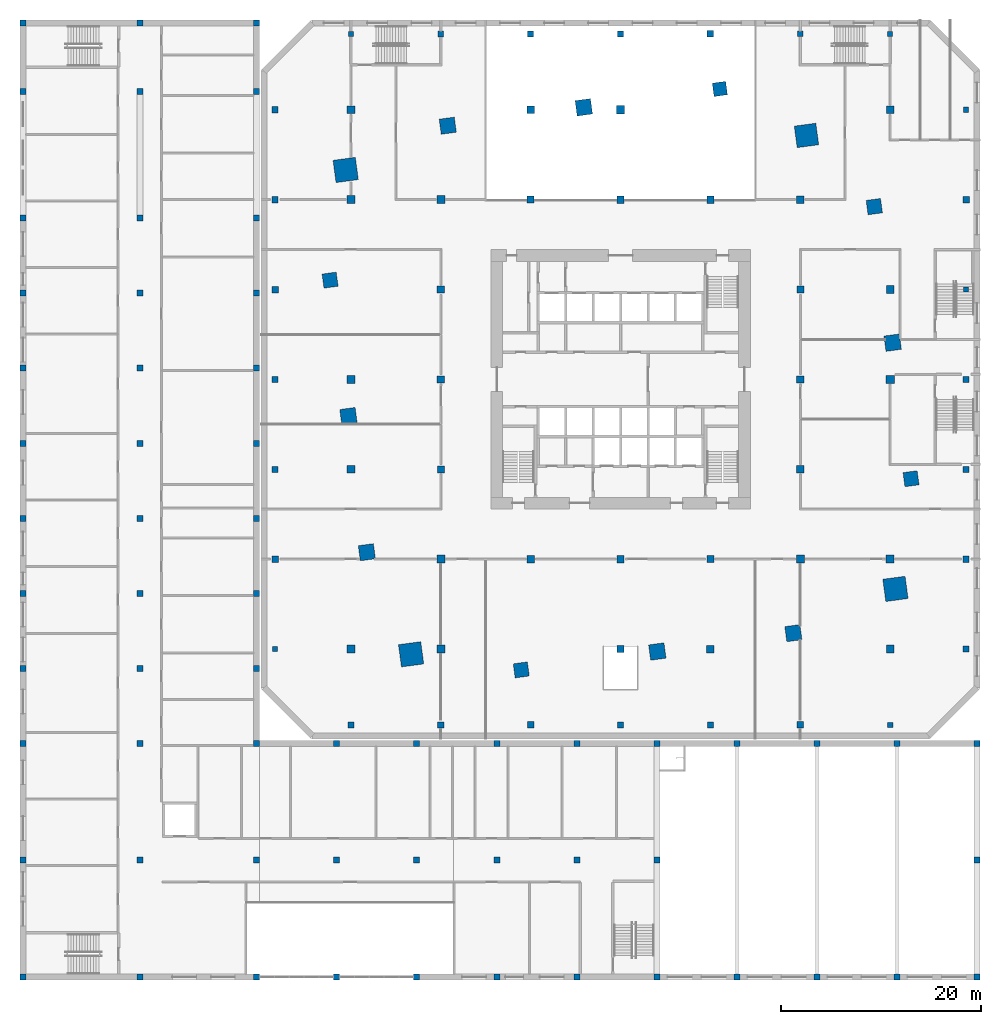
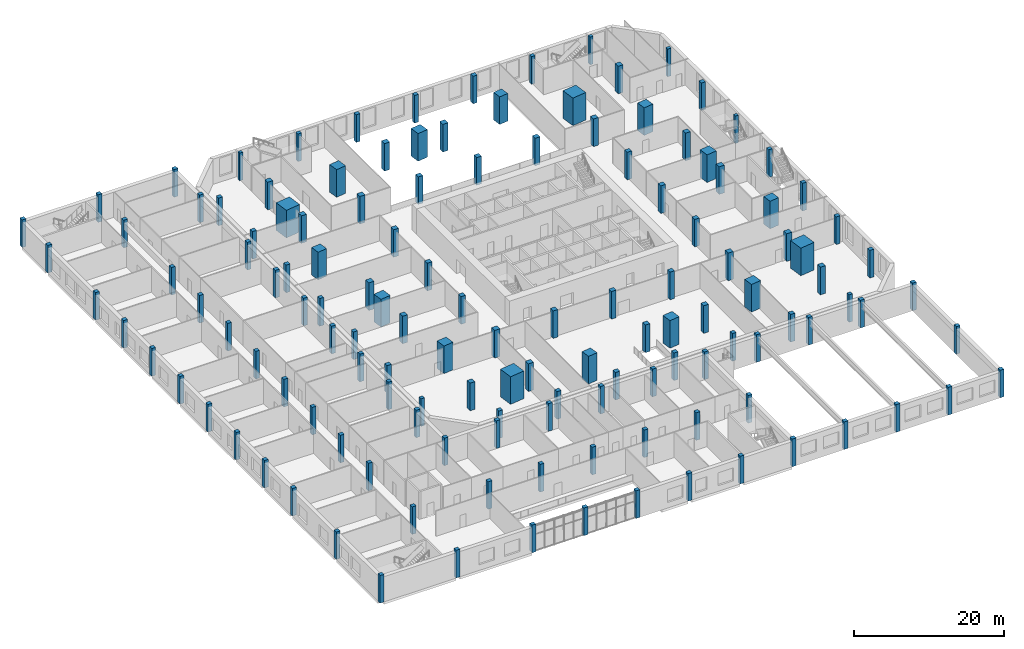
# One storey, part 1 of 27: 135 columns.
"""IFC4 building model written with IfcOpenShell, lengths in metres."""

from ifc_helpers import new_model, si_unit, direction, frame, origin, origin_2d, place, context, subcontext, project, spatial, rectangle, extrude, material, material_profile, profile_set, type_object, element, save


model = new_model("IFC4")

# Units and contexts
model_context = context("Model", 3, precision=1e-05, world=origin(), true_north=direction((0.0, 1.0)))
body_context = subcontext(model_context, "Body", "Model", "MODEL_VIEW")
ifc_project = project(units=[si_unit("LENGTHUNIT", "METRE"), si_unit("AREAUNIT", "SQUARE_METRE"), si_unit("VOLUMEUNIT", "CUBIC_METRE"), si_unit("PLANEANGLEUNIT", "RADIAN"), si_unit("MASSUNIT", "GRAM", prefix="KILO")], contexts=[model_context])

# Site, building, storey
site_placement = place(None, origin())
site = spatial("IfcSite", under=ifc_project, at=site_placement, CompositionType="ELEMENT")
building_placement = place(site_placement, origin())
building = spatial("IfcBuilding", under=site, at=building_placement, Name="Dilmun Exchange Tower", CompositionType="ELEMENT")
storey_placement = place(building_placement, frame((0.0, 0.0, 4.5)))
storey = spatial("IfcBuildingStorey", under=building, at=storey_placement, Name="L01", CompositionType="ELEMENT", Elevation=4.5)

# Columns
ifc_material_1 = material(Name="Concrete C80/95", Category="concrete")
ifc_material_profile_1 = material_profile(ifc_material_1, rectangle(XDim=2.175048828125, YDim=2.175048828125, at=origin_2d()), Name="2175 x 2175")
ifc_profile_set_1 = profile_set([ifc_material_profile_1], Name="Concrete C80/95")
column_type_1 = type_object("IfcColumnType", Name="RC mega column 2175 x 2175 C80/95", PredefinedType="COLUMN", material=ifc_profile_set_1)
column_1_placement = place(storey_placement, frame((18.6220703125, 24.43701171875, 0.0), z_axis=(0.0, 0.0, 1.0), x_axis=(0.991001197216, 0.133853005627, 0.0)))
element("IfcColumn", 1, at=column_1_placement, inside=storey, type_object=column_type_1, Name="Mega column M1", PredefinedType="COLUMN", context=body_context, shape_type="SweptSolid", body=[
    extrude(rectangle(XDim=2.175048828125, YDim=2.175048828125, at=origin_2d()), origin(), (0.0, 0.0, 1.0), 4.5),
])
ifc_material_profile_2 = material_profile(ifc_material_1, rectangle(XDim=2.25, YDim=2.25, at=origin_2d()), Name="2250 x 2250")
ifc_profile_set_2 = profile_set([ifc_material_profile_2], Name="Concrete C80/95")
column_type_2 = type_object("IfcColumnType", Name="RC mega column 2250 x 2250 C80/95", PredefinedType="COLUMN", material=ifc_profile_set_2)
for number, where, z_axis, x_axis, name in (
    (2, (-27.531005859375, 20.97900390625, 0.0), (0.0, 0.0, 1.0), (0.991001197216, 0.133853005627, 0.0), "Mega column M2"),
    (3, (-20.97900390625, -27.531005859375, 0.0), (0.0, 0.0, 1.0), (0.991001197216, 0.133853005627, 0.0), "Mega column M3"),
    (4, (27.531005859375, -20.97900390625, 0.0), (0.0, 0.0, 1.0), (0.991001197216, 0.133853005627, 0.0), "Mega column M4"),
):
    element("IfcColumn", number, at=place(storey_placement, frame(where, z_axis=z_axis, x_axis=x_axis)), inside=storey, type_object=column_type_2, Name=name, PredefinedType="COLUMN", context=body_context, shape_type="SweptSolid", body=[
        extrude(rectangle(XDim=2.25, YDim=2.25, at=origin_2d()), origin(), (0.0, 0.0, 1.0), 4.5),
    ])
ifc_material_2 = material(Name="Concrete C60/75", Category="concrete")
ifc_material_profile_3 = material_profile(ifc_material_2, rectangle(XDim=0.47509765625, YDim=0.47509765625, at=origin_2d()), Name="475 x 475")
ifc_profile_set_3 = profile_set([ifc_material_profile_3], Name="Concrete C60/75")
column_type_3 = type_object("IfcColumnType", Name="RC podium column 475 x 475 C60/75", PredefinedType="COLUMN", material=ifc_profile_set_3)
for number, where, z_axis, x_axis, name in (
    (5, (-27.0, 34.60009765625, 0.0), (0.0, 0.0, 1.0), (1.0, 0.0, 0.0), "Podium column 6N"),
    (6, (34.60009765625, 9.0, 0.0), (0.0, 0.0, 1.0), (1.0, 0.0, 0.0), "Podium column 13K"),
):
    element("IfcColumn", number, at=place(storey_placement, frame(where, z_axis=z_axis, x_axis=x_axis)), inside=storey, type_object=column_type_3, Name=name, PredefinedType="COLUMN", context=body_context, shape_type="SweptSolid", body=[
        extrude(rectangle(XDim=0.47509765625, YDim=0.47509765625, at=origin_2d()), origin(), (0.0, 0.0, 1.0), 4.5),
    ])
ifc_material_profile_4 = material_profile(ifc_material_2, rectangle(XDim=0.5, YDim=0.5, at=origin_2d()), Name="500 x 500")
ifc_profile_set_4 = profile_set([ifc_material_profile_4], Name="Concrete C60/75")
column_type_4 = type_object("IfcColumnType", Name="RC podium column 500 x 500 C60/75", PredefinedType="COLUMN", material=ifc_profile_set_4)
column_2_placement = place(storey_placement, frame((27.0, 34.60009765625, 0.0), z_axis=(0.0, 0.0, 1.0), x_axis=(1.0, 0.0, 0.0)))
element("IfcColumn", 7, at=column_2_placement, inside=storey, type_object=column_type_4, Name="Podium column 12N", PredefinedType="COLUMN", context=body_context, shape_type="SweptSolid", body=[
    extrude(rectangle(XDim=0.5, YDim=0.5, at=origin_2d()), origin(), (0.0, 0.0, 1.0), 4.5),
])
ifc_material_profile_5 = material_profile(ifc_material_2, rectangle(XDim=0.52490234375, YDim=0.52490234375, at=origin_2d()), Name="525 x 525")
ifc_profile_set_5 = profile_set([ifc_material_profile_5], Name="Concrete C60/75")
column_type_5 = type_object("IfcColumnType", Name="RC podium column 525 x 525 C60/75", PredefinedType="COLUMN", material=ifc_profile_set_5)
for number, where, z_axis, x_axis, name in (
    (8, (-34.60009765625, -27.0, 0.0), (0.0, 0.0, 1.0), (1.0, 0.0, 0.0), "Podium column 5F"),
    (9, (27.0, -34.60009765625, 0.0), (0.0, 0.0, 1.0), (1.0, 0.0, 0.0), "Podium column 12E"),
    (10, (34.60009765625, 27.0, 0.0), (0.0, 0.0, 1.0), (1.0, 0.0, 0.0), "Podium column 13M"),
):
    element("IfcColumn", number, at=place(storey_placement, frame(where, z_axis=z_axis, x_axis=x_axis)), inside=storey, type_object=column_type_5, Name=name, PredefinedType="COLUMN", context=body_context, shape_type="SweptSolid", body=[
        extrude(rectangle(XDim=0.52490234375, YDim=0.52490234375, at=origin_2d()), origin(), (0.0, 0.0, 1.0), 4.5),
    ])
ifc_material_profile_6 = material_profile(ifc_material_2, rectangle(XDim=0.550048828125, YDim=0.550048828125, at=origin_2d()), Name="550 x 550")
ifc_profile_set_6 = profile_set([ifc_material_profile_6], Name="Concrete C60/75")
column_type_6 = type_object("IfcColumnType", Name="RC podium column 550 x 550 C60/75", PredefinedType="COLUMN", material=ifc_profile_set_6)
column_3_placement = place(storey_placement, frame((18.0, 34.60009765625, 0.0), z_axis=(0.0, 0.0, 1.0), x_axis=(1.0, 0.0, 0.0)))
element("IfcColumn", 11, at=column_3_placement, inside=storey, type_object=column_type_6, Name="Podium column 11N", PredefinedType="COLUMN", context=body_context, shape_type="SweptSolid", body=[
    extrude(rectangle(XDim=0.550048828125, YDim=0.550048828125, at=origin_2d()), origin(), (0.0, 0.0, 1.0), 4.5),
])
ifc_material_profile_7 = material_profile(ifc_material_2, rectangle(XDim=0.574951171875, YDim=0.574951171875, at=origin_2d()), Name="575 x 575")
ifc_profile_set_7 = profile_set([ifc_material_profile_7], Name="Concrete C60/75")
column_type_7 = type_object("IfcColumnType", Name="RC podium column 575 x 575 C60/75", PredefinedType="COLUMN", material=ifc_profile_set_7)
for number, where, z_axis, x_axis, name in (
    (12, (-18.0, 34.60009765625, 0.0), (0.0, 0.0, 1.0), (1.0, 0.0, 0.0), "Podium column 7N"),
    (13, (34.60009765625, 0.0, 0.0), (0.0, 0.0, 1.0), (1.0, 0.0, 0.0), "Podium column 13J"),
):
    element("IfcColumn", number, at=place(storey_placement, frame(where, z_axis=z_axis, x_axis=x_axis)), inside=storey, type_object=column_type_7, Name=name, PredefinedType="COLUMN", context=body_context, shape_type="SweptSolid", body=[
        extrude(rectangle(XDim=0.574951171875, YDim=0.574951171875, at=origin_2d()), origin(), (0.0, 0.0, 1.0), 4.5),
    ])
ifc_material_profile_8 = material_profile(ifc_material_2, rectangle(XDim=0.60009765625, YDim=0.60009765625, at=origin_2d()), Name="600 x 600")
ifc_profile_set_8 = profile_set([ifc_material_profile_8], Name="Concrete C60/75")
column_type_8 = type_object("IfcColumnType", Name="RC podium column 600 x 600 C60/75", PredefinedType="COLUMN", material=ifc_profile_set_8)
for number, where, z_axis, x_axis, name in (
    (14, (-34.60009765625, -9.0, 0.0), (0.0, 0.0, 1.0), (1.0, 0.0, 0.0), "Podium column 5H"),
    (15, (-9.0, 34.60009765625, 0.0), (0.0, 0.0, 1.0), (1.0, 0.0, 0.0), "Podium column 8N"),
    (16, (9.0, -34.60009765625, 0.0), (0.0, 0.0, 1.0), (1.0, 0.0, 0.0), "Podium column 10E"),
    (17, (34.60009765625, -9.0, 0.0), (0.0, 0.0, 1.0), (1.0, 0.0, 0.0), "Podium column 13H"),
):
    element("IfcColumn", number, at=place(storey_placement, frame(where, z_axis=z_axis, x_axis=x_axis)), inside=storey, type_object=column_type_8, Name=name, PredefinedType="COLUMN", context=body_context, shape_type="SweptSolid", body=[
        extrude(rectangle(XDim=0.60009765625, YDim=0.60009765625, at=origin_2d()), origin(), (0.0, 0.0, 1.0), 4.5),
    ])
ifc_material_profile_9 = material_profile(ifc_material_2, rectangle(XDim=0.625, YDim=0.625, at=origin_2d()), Name="625 x 625")
ifc_profile_set_9 = profile_set([ifc_material_profile_9], Name="Concrete C60/75")
column_type_9 = type_object("IfcColumnType", Name="RC podium column 625 x 625 C60/75", PredefinedType="COLUMN", material=ifc_profile_set_9)
for number, where, z_axis, x_axis, name in (
    (18, (-34.60009765625, 0.0, 0.0), (0.0, 0.0, 1.0), (1.0, 0.0, 0.0), "Podium column 5J"),
    (19, (-34.60009765625, 18.0, 0.0), (0.0, 0.0, 1.0), (1.0, 0.0, 0.0), "Podium column 5L"),
    (20, (-34.60009765625, 27.0, 0.0), (0.0, 0.0, 1.0), (1.0, 0.0, 0.0), "Podium column 5M"),
    (21, (-27.0, -34.60009765625, 0.0), (0.0, 0.0, 1.0), (1.0, 0.0, 0.0), "Podium column 6E"),
    (22, (-18.0, -34.60009765625, 0.0), (0.0, 0.0, 1.0), (1.0, 0.0, 0.0), "Podium column 7E"),
    (23, (0.0, -34.60009765625, 0.0), (0.0, 0.0, 1.0), (1.0, 0.0, 0.0), "Podium column 9E"),
    (24, (0.0, 34.60009765625, 0.0), (0.0, 0.0, 1.0), (1.0, 0.0, 0.0), "Podium column 9N"),
    (25, (34.60009765625, -27.0, 0.0), (0.0, 0.0, 1.0), (1.0, 0.0, 0.0), "Podium column 13F"),
    (26, (34.60009765625, -18.0, 0.0), (0.0, 0.0, 1.0), (1.0, 0.0, 0.0), "Podium column 13G"),
):
    element("IfcColumn", number, at=place(storey_placement, frame(where, z_axis=z_axis, x_axis=x_axis)), inside=storey, type_object=column_type_9, Name=name, PredefinedType="COLUMN", context=body_context, shape_type="SweptSolid", body=[
        extrude(rectangle(XDim=0.625, YDim=0.625, at=origin_2d()), origin(), (0.0, 0.0, 1.0), 4.5),
    ])
ifc_material_profile_10 = material_profile(ifc_material_2, rectangle(XDim=0.64990234375, YDim=0.64990234375, at=origin_2d()), Name="650 x 650")
ifc_profile_set_10 = profile_set([ifc_material_profile_10], Name="Concrete C60/75")
column_type_10 = type_object("IfcColumnType", Name="RC podium column 650 x 650 C60/75", PredefinedType="COLUMN", material=ifc_profile_set_10)
for number, where, z_axis, x_axis, name in (
    (27, (-34.60009765625, -18.0, 0.0), (0.0, 0.0, 1.0), (1.0, 0.0, 0.0), "Podium column 5G"),
    (28, (-34.60009765625, 9.0, 0.0), (0.0, 0.0, 1.0), (1.0, 0.0, 0.0), "Podium column 5K"),
    (29, (-9.0, -34.60009765625, 0.0), (0.0, 0.0, 1.0), (1.0, 0.0, 0.0), "Podium column 8E"),
    (30, (9.0, 34.60009765625, 0.0), (0.0, 0.0, 1.0), (1.0, 0.0, 0.0), "Podium column 10N"),
    (31, (18.0, -34.60009765625, 0.0), (0.0, 0.0, 1.0), (1.0, 0.0, 0.0), "Podium column 11E"),
    (32, (34.60009765625, 18.0, 0.0), (0.0, 0.0, 1.0), (1.0, 0.0, 0.0), "Podium column 13L"),
):
    element("IfcColumn", number, at=place(storey_placement, frame(where, z_axis=z_axis, x_axis=x_axis)), inside=storey, type_object=column_type_10, Name=name, PredefinedType="COLUMN", context=body_context, shape_type="SweptSolid", body=[
        extrude(rectangle(XDim=0.64990234375, YDim=0.64990234375, at=origin_2d()), origin(), (0.0, 0.0, 1.0), 4.5),
    ])
ifc_material_profile_11 = material_profile(ifc_material_2, rectangle(XDim=0.699951171875, YDim=0.699951171875, at=origin_2d()), Name="700 x 700")
ifc_profile_set_11 = profile_set([ifc_material_profile_11], Name="Concrete C60/75")
column_type_11 = type_object("IfcColumnType", Name="RC podium column 700 x 700 C60/75", PredefinedType="COLUMN", material=ifc_profile_set_11)
for number, where, z_axis, x_axis, name in (
    (33, (-18.0, -9.0, 0.0), (0.0, 0.0, 1.0), (1.0, 0.0, 0.0), "Podium column 7H"),
    (34, (-9.0, 18.0, 0.0), (0.0, 0.0, 1.0), (1.0, 0.0, 0.0), "Podium column 8L"),
    (35, (9.0, -18.0, 0.0), (0.0, 0.0, 1.0), (1.0, 0.0, 0.0), "Podium column 10G"),
    (36, (18.0, 9.0, 0.0), (0.0, 0.0, 1.0), (1.0, 0.0, 0.0), "Podium column 11K"),
):
    element("IfcColumn", number, at=place(storey_placement, frame(where, z_axis=z_axis, x_axis=x_axis)), inside=storey, type_object=column_type_11, Name=name, PredefinedType="COLUMN", context=body_context, shape_type="SweptSolid", body=[
        extrude(rectangle(XDim=0.699951171875, YDim=0.699951171875, at=origin_2d()), origin(), (0.0, 0.0, 1.0), 4.5),
    ])
ifc_material_profile_12 = material_profile(ifc_material_2, rectangle(XDim=0.72509765625, YDim=0.72509765625, at=origin_2d()), Name="725 x 725")
ifc_profile_set_12 = profile_set([ifc_material_profile_12], Name="Concrete C60/75")
column_type_12 = type_object("IfcColumnType", Name="RC podium column 725 x 725 C60/75", PredefinedType="COLUMN", material=ifc_profile_set_12)
for number, where, z_axis, x_axis, name in (
    (37, (-18.0, 0.0, 0.0), (0.0, 0.0, 1.0), (1.0, 0.0, 0.0), "Podium column 7J"),
    (38, (-18.0, 9.0, 0.0), (0.0, 0.0, 1.0), (1.0, 0.0, 0.0), "Podium column 7K"),
    (39, (-9.0, -18.0, 0.0), (0.0, 0.0, 1.0), (1.0, 0.0, 0.0), "Podium column 8G"),
    (40, (0.0, -27.0, 0.0), (0.0, 0.0, 1.0), (1.0, 0.0, 0.0), "Podium column 9F"),
    (41, (0.0, -18.0, 0.0), (0.0, 0.0, 1.0), (1.0, 0.0, 0.0), "Podium column 9G"),
    (42, (0.0, 18.0, 0.0), (0.0, 0.0, 1.0), (1.0, 0.0, 0.0), "Podium column 9L"),
    (43, (9.0, 18.0, 0.0), (0.0, 0.0, 1.0), (1.0, 0.0, 0.0), "Podium column 10L"),
    (44, (18.0, -9.0, 0.0), (0.0, 0.0, 1.0), (1.0, 0.0, 0.0), "Podium column 11H"),
    (45, (18.0, 0.0, 0.0), (0.0, 0.0, 1.0), (1.0, 0.0, 0.0), "Podium column 11J"),
):
    element("IfcColumn", number, at=place(storey_placement, frame(where, z_axis=z_axis, x_axis=x_axis)), inside=storey, type_object=column_type_12, Name=name, PredefinedType="COLUMN", context=body_context, shape_type="SweptSolid", body=[
        extrude(rectangle(XDim=0.72509765625, YDim=0.72509765625, at=origin_2d()), origin(), (0.0, 0.0, 1.0), 4.5),
    ])
ifc_material_profile_13 = material_profile(ifc_material_2, rectangle(XDim=0.75, YDim=0.75, at=origin_2d()), Name="750 x 750")
ifc_profile_set_13 = profile_set([ifc_material_profile_13], Name="Concrete C60/75")
column_type_13 = type_object("IfcColumnType", Name="RC podium column 750 x 750 C60/75", PredefinedType="COLUMN", material=ifc_profile_set_13)
for number, where, z_axis, x_axis, name in (
    (46, (9.0, -27.0, 0.0), (0.0, 0.0, 1.0), (1.0, 0.0, 0.0), "Podium column 10F"),
    (47, (18.0, 18.0, 0.0), (0.0, 0.0, 1.0), (1.0, 0.0, 0.0), "Podium column 11L"),
):
    element("IfcColumn", number, at=place(storey_placement, frame(where, z_axis=z_axis, x_axis=x_axis)), inside=storey, type_object=column_type_13, Name=name, PredefinedType="COLUMN", context=body_context, shape_type="SweptSolid", body=[
        extrude(rectangle(XDim=0.75, YDim=0.75, at=origin_2d()), origin(), (0.0, 0.0, 1.0), 4.5),
    ])
ifc_material_profile_14 = material_profile(ifc_material_2, rectangle(XDim=0.77490234375, YDim=0.77490234375, at=origin_2d()), Name="775 x 775")
ifc_profile_set_14 = profile_set([ifc_material_profile_14], Name="Concrete C60/75")
column_type_14 = type_object("IfcColumnType", Name="RC podium column 775 x 775 C60/75", PredefinedType="COLUMN", material=ifc_profile_set_14)
for number, where, z_axis, x_axis, name in (
    (48, (-27.0, -27.0, 0.0), (0.0, 0.0, 1.0), (1.0, 0.0, 0.0), "Podium column 6F"),
    (49, (-27.0, -9.0, 0.0), (0.0, 0.0, 1.0), (1.0, 0.0, 0.0), "Podium column 6H"),
    (50, (-27.0, 27.0, 0.0), (0.0, 0.0, 1.0), (1.0, 0.0, 0.0), "Podium column 6M"),
    (51, (-9.0, 27.0, 0.0), (0.0, 0.0, 1.0), (1.0, 0.0, 0.0), "Podium column 8M"),
    (52, (27.0, -27.0, 0.0), (0.0, 0.0, 1.0), (1.0, 0.0, 0.0), "Podium column 12F"),
    (53, (27.0, 9.0, 0.0), (0.0, 0.0, 1.0), (1.0, 0.0, 0.0), "Podium column 12K"),
    (54, (27.0, 27.0, 0.0), (0.0, 0.0, 1.0), (1.0, 0.0, 0.0), "Podium column 12M"),
):
    element("IfcColumn", number, at=place(storey_placement, frame(where, z_axis=z_axis, x_axis=x_axis)), inside=storey, type_object=column_type_14, Name=name, PredefinedType="COLUMN", context=body_context, shape_type="SweptSolid", body=[
        extrude(rectangle(XDim=0.77490234375, YDim=0.77490234375, at=origin_2d()), origin(), (0.0, 0.0, 1.0), 4.5),
    ])
ifc_material_profile_15 = material_profile(ifc_material_2, rectangle(XDim=0.800048828125, YDim=0.800048828125, at=origin_2d()), Name="800 x 800")
ifc_profile_set_15 = profile_set([ifc_material_profile_15], Name="Concrete C60/75")
column_type_15 = type_object("IfcColumnType", Name="RC podium column 800 x 800 C60/75", PredefinedType="COLUMN", material=ifc_profile_set_15)
for number, where, z_axis, x_axis, name in (
    (55, (-27.0, 18.0, 0.0), (0.0, 0.0, 1.0), (1.0, 0.0, 0.0), "Podium column 6L"),
    (56, (-18.0, -27.0, 0.0), (0.0, 0.0, 1.0), (1.0, 0.0, 0.0), "Podium column 7F"),
    (57, (-18.0, -18.0, 0.0), (0.0, 0.0, 1.0), (1.0, 0.0, 0.0), "Podium column 7G"),
    (58, (-18.0, 18.0, 0.0), (0.0, 0.0, 1.0), (1.0, 0.0, 0.0), "Podium column 7L"),
    (59, (18.0, -18.0, 0.0), (0.0, 0.0, 1.0), (1.0, 0.0, 0.0), "Podium column 11G"),
    (60, (27.0, -18.0, 0.0), (0.0, 0.0, 1.0), (1.0, 0.0, 0.0), "Podium column 12G"),
):
    element("IfcColumn", number, at=place(storey_placement, frame(where, z_axis=z_axis, x_axis=x_axis)), inside=storey, type_object=column_type_15, Name=name, PredefinedType="COLUMN", context=body_context, shape_type="SweptSolid", body=[
        extrude(rectangle(XDim=0.800048828125, YDim=0.800048828125, at=origin_2d()), origin(), (0.0, 0.0, 1.0), 4.5),
    ])
ifc_material_profile_16 = material_profile(ifc_material_2, rectangle(XDim=0.824951171875, YDim=0.824951171875, at=origin_2d()), Name="825 x 825")
ifc_profile_set_16 = profile_set([ifc_material_profile_16], Name="Concrete C60/75")
column_type_16 = type_object("IfcColumnType", Name="RC podium column 825 x 825 C60/75", PredefinedType="COLUMN", material=ifc_profile_set_16)
for number, where, z_axis, x_axis, name in (
    (61, (-27.0, 0.0, 0.0), (0.0, 0.0, 1.0), (1.0, 0.0, 0.0), "Podium column 6J"),
    (62, (0.0, 27.0, 0.0), (0.0, 0.0, 1.0), (1.0, 0.0, 0.0), "Podium column 9M"),
    (63, (27.0, 0.0, 0.0), (0.0, 0.0, 1.0), (1.0, 0.0, 0.0), "Podium column 12J"),
):
    element("IfcColumn", number, at=place(storey_placement, frame(where, z_axis=z_axis, x_axis=x_axis)), inside=storey, type_object=column_type_16, Name=name, PredefinedType="COLUMN", context=body_context, shape_type="SweptSolid", body=[
        extrude(rectangle(XDim=0.824951171875, YDim=0.824951171875, at=origin_2d()), origin(), (0.0, 0.0, 1.0), 4.5),
    ])
ifc_material_profile_17 = material_profile(ifc_material_1, rectangle(XDim=1.35009765625, YDim=1.35009765625, at=origin_2d()), Name="1350 x 1350")
ifc_profile_set_17 = profile_set([ifc_material_profile_17], Name="Concrete C80/95")
column_type_17 = type_object("IfcColumnType", Name="RC ring column 1350 x 1350 C80/95", PredefinedType="COLUMN", material=ifc_profile_set_17)
column_4_placement = place(storey_placement, frame((9.945068359375, 29.093017578125, 0.0), z_axis=(0.0, 0.0, 1.0), x_axis=(0.991001197216, 0.133853005627, 0.0)))
element("IfcColumn", 64, at=column_4_placement, inside=storey, type_object=column_type_17, Name="Ring column R01", PredefinedType="COLUMN", context=body_context, shape_type="SweptSolid", body=[
    extrude(rectangle(XDim=1.35009765625, YDim=1.35009765625, at=origin_2d()), origin(), (0.0, 0.0, 1.0), 4.5),
])
ifc_material_profile_18 = material_profile(ifc_material_1, rectangle(XDim=1.425048828125, YDim=1.425048828125, at=origin_2d()), Name="1425 x 1425")
ifc_profile_set_18 = profile_set([ifc_material_profile_18], Name="Concrete C80/95")
column_type_18 = type_object("IfcColumnType", Name="RC ring column 1425 x 1425 C80/95", PredefinedType="COLUMN", material=ifc_profile_set_18)
for number, where, z_axis, x_axis, name in (
    (65, (-29.093017578125, 9.945068359375, 0.0), (0.0, 0.0, 1.0), (0.991001197216, 0.133853005627, 0.0), "Ring column R04"),
    (66, (-9.945068359375, -29.093017578125, 0.0), (0.0, 0.0, 1.0), (0.991001197216, 0.133853005627, 0.0), "Ring column R07"),
    (67, (29.093017578125, -9.945068359375, 0.0), (0.0, 0.0, 1.0), (0.991001197216, 0.133853005627, 0.0), "Ring column R10"),
):
    element("IfcColumn", number, at=place(storey_placement, frame(where, z_axis=z_axis, x_axis=x_axis)), inside=storey, type_object=column_type_18, Name=name, PredefinedType="COLUMN", context=body_context, shape_type="SweptSolid", body=[
        extrude(rectangle(XDim=1.425048828125, YDim=1.425048828125, at=origin_2d()), origin(), (0.0, 0.0, 1.0), 4.5),
    ])
ifc_material_profile_19 = material_profile(ifc_material_1, rectangle(XDim=1.449951171875, YDim=1.449951171875, at=origin_2d()), Name="1450 x 1450")
ifc_profile_set_19 = profile_set([ifc_material_profile_19], Name="Concrete C80/95")
column_type_19 = type_object("IfcColumnType", Name="RC ring column 1450 x 1450 C80/95", PredefinedType="COLUMN", material=ifc_profile_set_19)
column_5_placement = place(storey_placement, frame((25.412109375, 17.306884765625, 0.0), z_axis=(0.0, 0.0, 1.0), x_axis=(0.991001197216, 0.133853005627, 0.0)))
element("IfcColumn", 68, at=column_5_placement, inside=storey, type_object=column_type_19, Name="Ring column R12", PredefinedType="COLUMN", context=body_context, shape_type="SweptSolid", body=[
    extrude(rectangle(XDim=1.449951171875, YDim=1.449951171875, at=origin_2d()), origin(), (0.0, 0.0, 1.0), 4.5),
])
ifc_material_profile_20 = material_profile(ifc_material_1, rectangle(XDim=1.52490234375, YDim=1.52490234375, at=origin_2d()), Name="1525 x 1525")
ifc_profile_set_20 = profile_set([ifc_material_profile_20], Name="Concrete C80/95")
column_type_20 = type_object("IfcColumnType", Name="RC ring column 1525 x 1525 C80/95", PredefinedType="COLUMN", material=ifc_profile_set_20)
for number, where, z_axis, x_axis, name in (
    (69, (-17.306884765625, 25.412109375, 0.0), (0.0, 0.0, 1.0), (0.991001197216, 0.133853005627, 0.0), "Ring column R03"),
    (70, (-25.412109375, -17.306884765625, 0.0), (0.0, 0.0, 1.0), (0.991001197216, 0.133853005627, 0.0), "Ring column R06"),
    (71, (17.306884765625, -25.412109375, 0.0), (0.0, 0.0, 1.0), (0.991001197216, 0.133853005627, 0.0), "Ring column R09"),
):
    element("IfcColumn", number, at=place(storey_placement, frame(where, z_axis=z_axis, x_axis=x_axis)), inside=storey, type_object=column_type_20, Name=name, PredefinedType="COLUMN", context=body_context, shape_type="SweptSolid", body=[
        extrude(rectangle(XDim=1.52490234375, YDim=1.52490234375, at=origin_2d()), origin(), (0.0, 0.0, 1.0), 4.5),
    ])
ifc_material_profile_21 = material_profile(ifc_material_1, rectangle(XDim=1.550048828125, YDim=1.550048828125, at=origin_2d()), Name="1550 x 1550")
ifc_profile_set_21 = profile_set([ifc_material_profile_21], Name="Concrete C80/95")
column_type_21 = type_object("IfcColumnType", Name="RC ring column 1550 x 1550 C80/95", PredefinedType="COLUMN", material=ifc_profile_set_21)
for number, where, z_axis, x_axis, name in (
    (72, (-3.680908203125, 27.2529296875, 0.0), (0.0, 0.0, 1.0), (0.991001197216, 0.133853005627, 0.0), "Ring column R02"),
    (73, (-27.2529296875, -3.680908203125, 0.0), (0.0, 0.0, 1.0), (0.991001197216, 0.133853005627, 0.0), "Ring column R05"),
    (74, (3.680908203125, -27.2529296875, 0.0), (0.0, 0.0, 1.0), (0.991001197216, 0.133853005627, 0.0), "Ring column R08"),
    (75, (27.2529296875, 3.680908203125, 0.0), (0.0, 0.0, 1.0), (0.991001197216, 0.133853005627, 0.0), "Ring column R11"),
):
    element("IfcColumn", number, at=place(storey_placement, frame(where, z_axis=z_axis, x_axis=x_axis)), inside=storey, type_object=column_type_21, Name=name, PredefinedType="COLUMN", context=body_context, shape_type="SweptSolid", body=[
        extrude(rectangle(XDim=1.550048828125, YDim=1.550048828125, at=origin_2d()), origin(), (0.0, 0.0, 1.0), 4.5),
    ])
ifc_material_3 = material(Name="Concrete C40/50", Category="concrete")
ifc_material_profile_22 = material_profile(ifc_material_3, rectangle(XDim=0.60009765625, YDim=0.60009765625, at=origin_2d()), Name="600 x 600")
ifc_profile_set_22 = profile_set([ifc_material_profile_22], Name="Concrete C40/50")
column_type_22 = type_object("IfcColumnType", Name="School column 600 x 600 C40/50", PredefinedType="COLUMN", material=ifc_profile_set_22)
for number, where, z_axis, x_axis, name in (
    (76, (-59.85009765625, -59.85009765625, 0.0), (0.0, 0.0, 1.0), (1.0, 0.0, 0.0), "School column X01Y01"),
    (77, (-59.85009765625, -48.14990234375, 0.0), (0.0, 0.0, 1.0), (1.0, 0.0, 0.0), "School column X01Y02"),
    (78, (-59.85009765625, -36.449951171875, 0.0), (0.0, 0.0, 1.0), (1.0, 0.0, 0.0), "School column X01Y03"),
    (79, (-59.85009765625, -28.93603515625, 0.0), (0.0, 0.0, 1.0), (1.0, 0.0, 0.0), "School column X01Y04"),
    (80, (-59.85009765625, -21.4208984375, 0.0), (0.0, 0.0, 1.0), (1.0, 0.0, 0.0), "School column X01Y05"),
    (81, (-59.85009765625, -13.906982421875, 0.0), (0.0, 0.0, 1.0), (1.0, 0.0, 0.0), "School column X01Y06"),
    (82, (-59.85009765625, -6.39306640625, 0.0), (0.0, 0.0, 1.0), (1.0, 0.0, 0.0), "School column X01Y07"),
    (83, (-59.85009765625, 1.12109375, 0.0), (0.0, 0.0, 1.0), (1.0, 0.0, 0.0), "School column X01Y08"),
    (84, (-59.85009765625, 8.635986328125, 0.0), (0.0, 0.0, 1.0), (1.0, 0.0, 0.0), "School column X01Y09"),
    (85, (-59.85009765625, 16.14990234375, 0.0), (0.0, 0.0, 1.0), (1.0, 0.0, 0.0), "School column X01Y10"),
    (86, (-59.85009765625, 28.85009765625, 0.0), (0.0, 0.0, 1.0), (1.0, 0.0, 0.0), "School column X01Y11"),
    (87, (-59.85009765625, 35.699951171875, 0.0), (0.0, 0.0, 1.0), (1.0, 0.0, 0.0), "School column X01Y12"),
    (88, (-48.14990234375, -59.85009765625, 0.0), (0.0, 0.0, 1.0), (1.0, 0.0, 0.0), "School column X02Y01"),
    (89, (-48.14990234375, -48.14990234375, 0.0), (0.0, 0.0, 1.0), (1.0, 0.0, 0.0), "School column X02Y02"),
    (90, (-48.14990234375, -36.449951171875, 0.0), (0.0, 0.0, 1.0), (1.0, 0.0, 0.0), "School column X02Y03"),
    (91, (-48.14990234375, -28.93603515625, 0.0), (0.0, 0.0, 1.0), (1.0, 0.0, 0.0), "School column X02Y04"),
    (92, (-48.14990234375, -21.4208984375, 0.0), (0.0, 0.0, 1.0), (1.0, 0.0, 0.0), "School column X02Y05"),
    (93, (-48.14990234375, -13.906982421875, 0.0), (0.0, 0.0, 1.0), (1.0, 0.0, 0.0), "School column X02Y06"),
    (94, (-48.14990234375, -6.39306640625, 0.0), (0.0, 0.0, 1.0), (1.0, 0.0, 0.0), "School column X02Y07"),
    (95, (-48.14990234375, 1.12109375, 0.0), (0.0, 0.0, 1.0), (1.0, 0.0, 0.0), "School column X02Y08"),
    (96, (-48.14990234375, 8.635986328125, 0.0), (0.0, 0.0, 1.0), (1.0, 0.0, 0.0), "School column X02Y09"),
    (97, (-48.14990234375, 16.14990234375, 0.0), (0.0, 0.0, 1.0), (1.0, 0.0, 0.0), "School column X02Y10"),
    (98, (-48.14990234375, 28.85009765625, 0.0), (0.0, 0.0, 1.0), (1.0, 0.0, 0.0), "School column X02Y11"),
    (99, (-48.14990234375, 35.699951171875, 0.0), (0.0, 0.0, 1.0), (1.0, 0.0, 0.0), "School column X02Y12"),
    (100, (-36.449951171875, -59.85009765625, 0.0), (0.0, 0.0, 1.0), (1.0, 0.0, 0.0), "School column X03Y01"),
    (101, (-36.449951171875, -48.14990234375, 0.0), (0.0, 0.0, 1.0), (1.0, 0.0, 0.0), "School column X03Y02"),
    (102, (-36.449951171875, -36.449951171875, 0.0), (0.0, 0.0, 1.0), (1.0, 0.0, 0.0), "School column X03Y03"),
    (103, (-36.449951171875, -28.93603515625, 0.0), (0.0, 0.0, 1.0), (1.0, 0.0, 0.0), "School column X03Y04"),
    (104, (-36.449951171875, -21.4208984375, 0.0), (0.0, 0.0, 1.0), (1.0, 0.0, 0.0), "School column X03Y05"),
    (105, (-36.449951171875, -13.906982421875, 0.0), (0.0, 0.0, 1.0), (1.0, 0.0, 0.0), "School column X03Y06"),
    (106, (-36.449951171875, -6.39306640625, 0.0), (0.0, 0.0, 1.0), (1.0, 0.0, 0.0), "School column X03Y07"),
    (107, (-36.449951171875, 1.12109375, 0.0), (0.0, 0.0, 1.0), (1.0, 0.0, 0.0), "School column X03Y08"),
    (108, (-36.449951171875, 8.635986328125, 0.0), (0.0, 0.0, 1.0), (1.0, 0.0, 0.0), "School column X03Y09"),
    (109, (-36.449951171875, 16.14990234375, 0.0), (0.0, 0.0, 1.0), (1.0, 0.0, 0.0), "School column X03Y10"),
    (110, (-36.449951171875, 28.85009765625, 0.0), (0.0, 0.0, 1.0), (1.0, 0.0, 0.0), "School column X03Y11"),
    (111, (-36.449951171875, 35.699951171875, 0.0), (0.0, 0.0, 1.0), (1.0, 0.0, 0.0), "School column X03Y12"),
    (112, (-28.43310546875, -59.85009765625, 0.0), (0.0, 0.0, 1.0), (1.0, 0.0, 0.0), "School column X04Y01"),
    (113, (-28.43310546875, -48.14990234375, 0.0), (0.0, 0.0, 1.0), (1.0, 0.0, 0.0), "School column X04Y02"),
    (114, (-28.43310546875, -36.449951171875, 0.0), (0.0, 0.0, 1.0), (1.0, 0.0, 0.0), "School column X04Y03"),
    (115, (-20.4169921875, -59.85009765625, 0.0), (0.0, 0.0, 1.0), (1.0, 0.0, 0.0), "School column X05Y01"),
    (116, (-20.4169921875, -48.14990234375, 0.0), (0.0, 0.0, 1.0), (1.0, 0.0, 0.0), "School column X05Y02"),
    (117, (-20.4169921875, -36.449951171875, 0.0), (0.0, 0.0, 1.0), (1.0, 0.0, 0.0), "School column X05Y03"),
    (118, (-12.39990234375, -59.85009765625, 0.0), (0.0, 0.0, 1.0), (1.0, 0.0, 0.0), "School column X06Y01"),
    (119, (-12.39990234375, -48.14990234375, 0.0), (0.0, 0.0, 1.0), (1.0, 0.0, 0.0), "School column X06Y02"),
    (120, (-12.39990234375, -36.449951171875, 0.0), (0.0, 0.0, 1.0), (1.0, 0.0, 0.0), "School column X06Y03"),
    (121, (-4.383056640625, -59.85009765625, 0.0), (0.0, 0.0, 1.0), (1.0, 0.0, 0.0), "School column X07Y01"),
    (122, (-4.383056640625, -48.14990234375, 0.0), (0.0, 0.0, 1.0), (1.0, 0.0, 0.0), "School column X07Y02"),
    (123, (-4.383056640625, -36.449951171875, 0.0), (0.0, 0.0, 1.0), (1.0, 0.0, 0.0), "School column X07Y03"),
    (124, (3.633056640625, -59.85009765625, 0.0), (0.0, 0.0, 1.0), (1.0, 0.0, 0.0), "School column X08Y01"),
    (125, (3.633056640625, -48.14990234375, 0.0), (0.0, 0.0, 1.0), (1.0, 0.0, 0.0), "School column X08Y02"),
    (126, (3.633056640625, -36.449951171875, 0.0), (0.0, 0.0, 1.0), (1.0, 0.0, 0.0), "School column X08Y03"),
    (127, (11.64990234375, -59.85009765625, 0.0), (0.0, 0.0, 1.0), (1.0, 0.0, 0.0), "School column X09Y01"),
    (128, (11.64990234375, -36.449951171875, 0.0), (0.0, 0.0, 1.0), (1.0, 0.0, 0.0), "School column X09Y03"),
    (129, (19.6669921875, -59.85009765625, 0.0), (0.0, 0.0, 1.0), (1.0, 0.0, 0.0), "School column X10Y01"),
    (130, (19.6669921875, -36.449951171875, 0.0), (0.0, 0.0, 1.0), (1.0, 0.0, 0.0), "School column X10Y03"),
    (131, (27.68310546875, -59.85009765625, 0.0), (0.0, 0.0, 1.0), (1.0, 0.0, 0.0), "School column X11Y01"),
    (132, (27.68310546875, -36.449951171875, 0.0), (0.0, 0.0, 1.0), (1.0, 0.0, 0.0), "School column X11Y03"),
    (133, (35.699951171875, -59.85009765625, 0.0), (0.0, 0.0, 1.0), (1.0, 0.0, 0.0), "School column X12Y01"),
    (134, (35.699951171875, -48.14990234375, 0.0), (0.0, 0.0, 1.0), (1.0, 0.0, 0.0), "School column X12Y02"),
    (135, (35.699951171875, -36.449951171875, 0.0), (0.0, 0.0, 1.0), (1.0, 0.0, 0.0), "School column X12Y03"),
):
    element("IfcColumn", number, at=place(storey_placement, frame(where, z_axis=z_axis, x_axis=x_axis)), inside=storey, type_object=column_type_22, Name=name, PredefinedType="COLUMN", context=body_context, shape_type="SweptSolid", body=[
        extrude(rectangle(XDim=0.60009765625, YDim=0.60009765625, at=origin_2d()), origin(), (0.0, 0.0, 1.0), 4.5),
    ])

save(model, "model.ifc")
